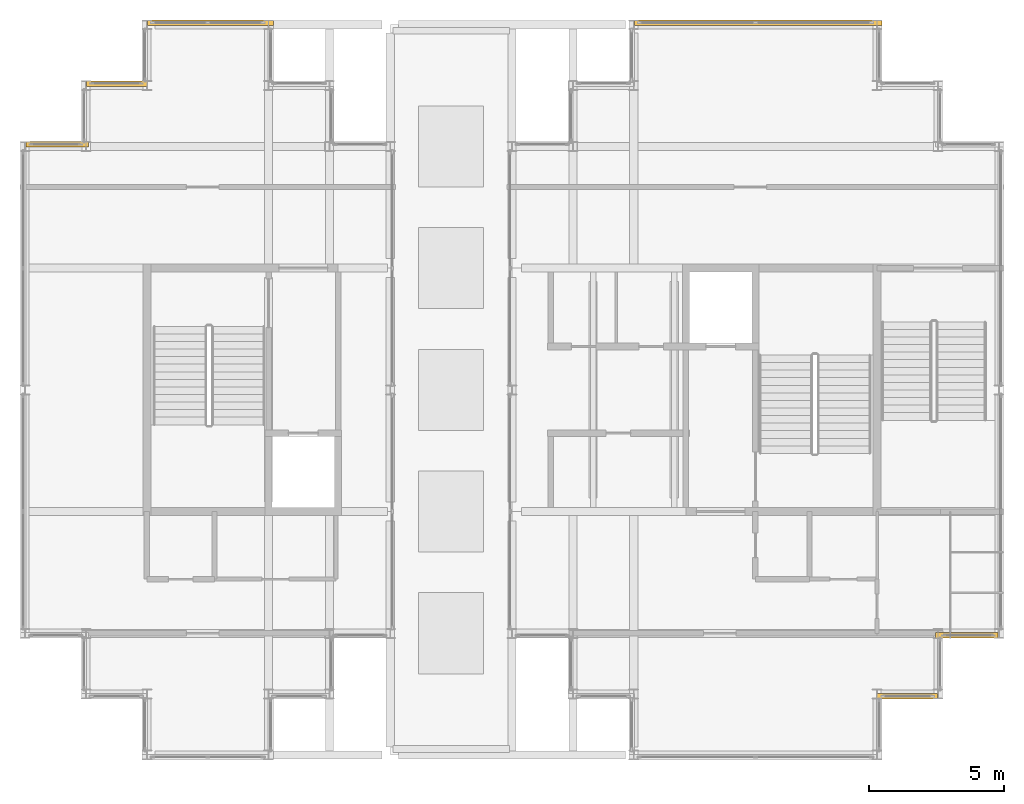
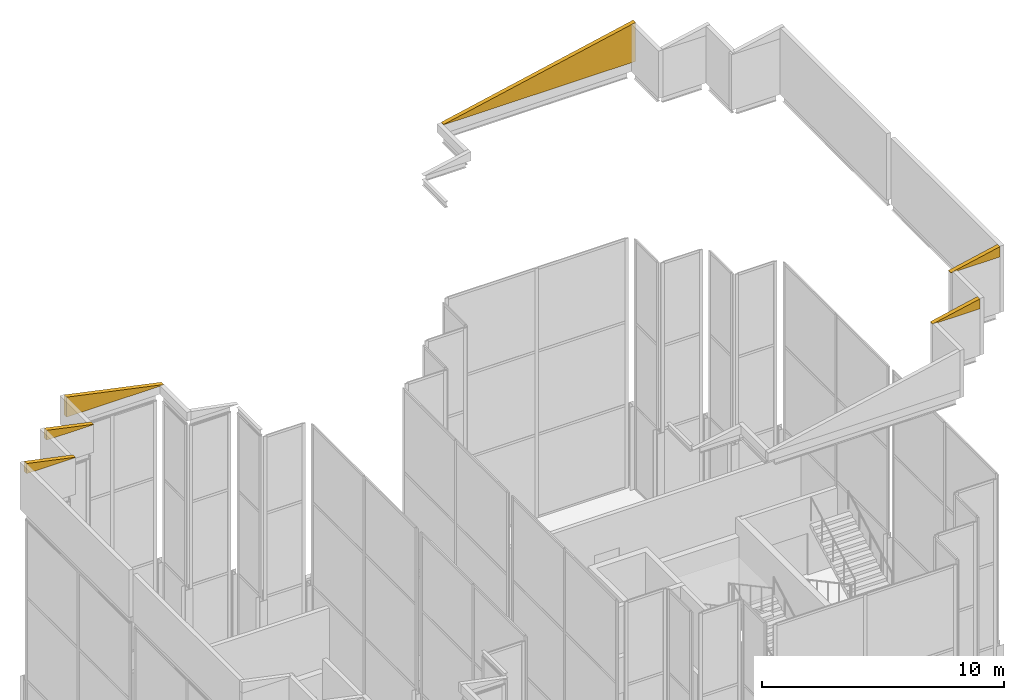
# One storey, part 22 of 23: 6 coverings.
"""IFC4 building model written with IfcOpenShell, lengths in metres."""

from ifc_helpers import new_model, si_unit, direction, frame, origin, place, context, subcontext, project, spatial, polyline, outline, extrude, material, layer, layer_set, type_object, element, save


model = new_model("IFC4")

# Units and contexts
model_context = context("Model", 3, precision=1e-05, world=origin(), true_north=direction((0.0, 1.0)))
body_context = subcontext(model_context, "Body", "Model", "MODEL_VIEW")
ifc_project = project(units=[si_unit("LENGTHUNIT", "METRE"), si_unit("AREAUNIT", "SQUARE_METRE"), si_unit("VOLUMEUNIT", "CUBIC_METRE"), si_unit("PLANEANGLEUNIT", "RADIAN"), si_unit("MASSUNIT", "GRAM", prefix="KILO")], contexts=[model_context])

# Site, building, storey
site_placement = place(None, origin())
site = spatial("IfcSite", under=ifc_project, at=site_placement, CompositionType="ELEMENT")
building_placement = place(site_placement, origin())
building = spatial("IfcBuilding", under=site, at=building_placement, Name="Caravel Reach Hotel and Residences", CompositionType="ELEMENT")
storey_placement = place(building_placement, frame((0.0, 0.0, 312.800048828125)))
storey = spatial("IfcBuildingStorey", under=building, at=storey_placement, Name="L79", CompositionType="ELEMENT", Elevation=312.800048828125)

# Coverings
ifc_material = material(Name="Insulated rainscreen wall, aluminium cladding", Category="aluminium")
ifc_layer = layer(ifc_material, 0.199951171875)
ifc_layer_set = layer_set([ifc_layer], Name="GC1 Crown gable closure 200")
covering_type = type_object("IfcCoveringType", Name="GC1 Crown gable closure 200", PredefinedType="CLADDING", material=ifc_layer_set)
covering_1_placement = place(storey_placement, frame((44.97509765625, 15.675048828125, 23.34423828125), z_axis=(0.0, 0.0, 1.0), x_axis=(1.0, 0.0, 0.0)))
element("IfcCovering", 1, at=covering_1_placement, inside=storey, type_object=covering_type, Name="Crown gable closure east 2.1", PredefinedType="CLADDING", context=body_context, shape_type="SweptSolid", body=[
    extrude(outline(polyline([(0.0, 0.0), (2.25, 0.0), (2.25, 0.498046875), (0.0, 0.02001953125), (0.0, 0.0)])), frame((0.0, 0.10009765625, 0.0), z_axis=(0.0, -1.0, 0.0), x_axis=(1.0, 0.0, 0.0)), (0.0, 0.0, 1.0), 0.199951171875),
])
covering_2_placement = place(storey_placement, frame((47.14990234375, 17.925048828125, 23.806396484375), z_axis=(0.0, 0.0, 1.0), x_axis=(1.0, 0.0, 0.0)))
element("IfcCovering", 2, at=covering_2_placement, inside=storey, type_object=covering_type, Name="Crown gable closure east 4.1", PredefinedType="CLADDING", context=body_context, shape_type="SweptSolid", body=[
    extrude(outline(polyline([(0.0, 0.0), (2.3251953125, 0.0), (2.324951171875, 0.51416015625), (0.0, 0.02001953125), (0.0, 0.0)])), frame((0.0, 0.10009765625, 0.0), z_axis=(0.0, -1.0, 0.0), x_axis=(1.0, 0.0, 0.0)), (0.0, 0.0, 1.0), 0.199951171875),
])
covering_3_placement = place(storey_placement, frame((45.175048828125, 40.574951171875, 21.441650390625), z_axis=(0.0, 0.0, 1.0), x_axis=(-1.0, 0.0, 0.0)))
element("IfcCovering", 3, at=covering_3_placement, inside=storey, type_object=covering_type, Name="Crown gable closure east 10.1", PredefinedType="CLADDING", context=body_context, shape_type="SweptSolid", body=[
    extrude(outline(polyline([(0.0, 0.0), (9.150146484375, 0.0), (9.14990234375, 0.02001953125), (0.0, 1.965087890625), (0.0, 0.0)])), frame((0.0, 0.10009765625, 0.0), z_axis=(0.0, -1.0, 0.0), x_axis=(1.0, 0.0, 0.0)), (0.0, 0.0, 1.0), 0.199951171875),
])
covering_4_placement = place(storey_placement, frame((22.675048828125, 40.574951171875, 12.999267578125), z_axis=(0.0, 0.0, 1.0), x_axis=(-1.0, 0.0, 0.0)))
element("IfcCovering", 4, at=covering_4_placement, inside=storey, type_object=covering_type, Name="Crown gable closure west 30.1", PredefinedType="CLADDING", context=body_context, shape_type="SweptSolid", body=[
    extrude(outline(polyline([(0.0, 0.0), (4.650146484375, 0.0), (4.64990234375, 1.00830078125), (0.0, 0.02001953125), (0.0, 0.0)])), frame((0.0, 0.10009765625, 0.0), z_axis=(0.0, -1.0, 0.0), x_axis=(1.0, 0.0, 0.0)), (0.0, 0.0, 1.0), 0.199951171875),
])
covering_5_placement = place(storey_placement, frame((18.02490234375, 38.324951171875, 13.987548828125), z_axis=(0.0, 0.0, 1.0), x_axis=(-1.0, 0.0, 0.0)))
element("IfcCovering", 5, at=covering_5_placement, inside=storey, type_object=covering_type, Name="Crown gable closure west 32.1", PredefinedType="CLADDING", context=body_context, shape_type="SweptSolid", body=[
    extrude(outline(polyline([(0.0, 0.0), (2.25, 0.0), (2.25, 0.498291015625), (0.0, 0.02001953125), (0.0, 0.0)])), frame((0.0, 0.10009765625, 0.0), z_axis=(0.0, -1.0, 0.0), x_axis=(1.0, 0.0, 0.0)), (0.0, 0.0, 1.0), 0.199951171875),
])
covering_6_placement = place(storey_placement, frame((15.85009765625, 36.074951171875, 14.449951171875), z_axis=(0.0, 0.0, 1.0), x_axis=(-1.0, 0.0, 0.0)))
element("IfcCovering", 6, at=covering_6_placement, inside=storey, type_object=covering_type, Name="Crown gable closure west 34.1", PredefinedType="CLADDING", context=body_context, shape_type="SweptSolid", body=[
    extrude(outline(polyline([(0.0, 0.0), (2.3251953125, 0.0), (2.324951171875, 0.51416015625), (0.0, 0.02001953125), (0.0, 0.0)])), frame((0.0, 0.10009765625, 0.0), z_axis=(0.0, -1.0, 0.0), x_axis=(1.0, 0.0, 0.0)), (0.0, 0.0, 1.0), 0.199951171875),
])

save(model, "model.ifc")
